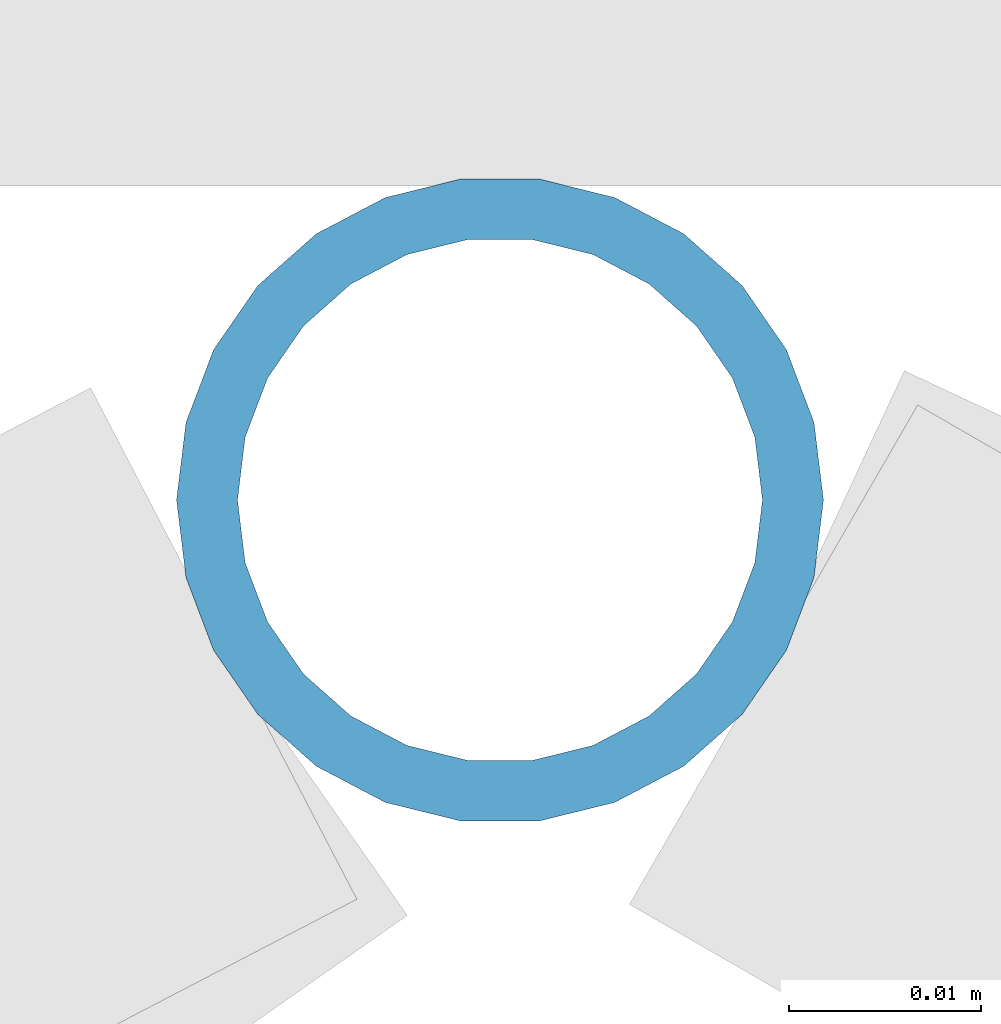
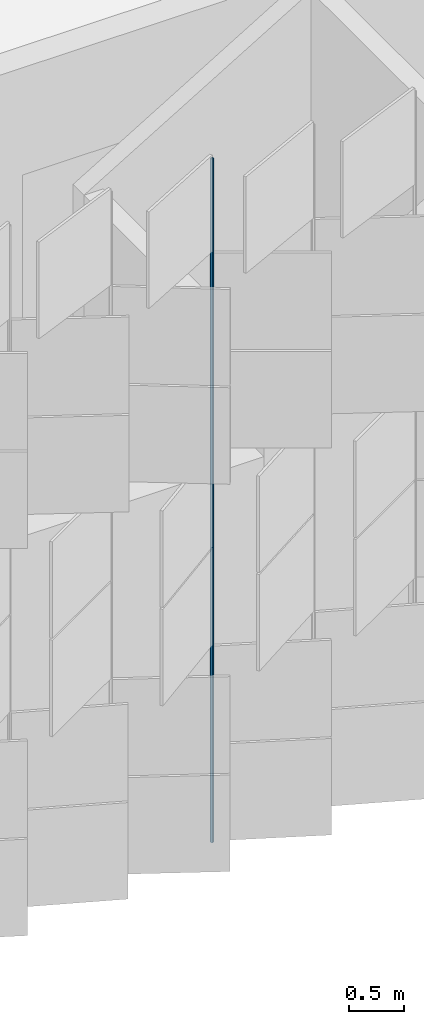
# One storey, part 159 of 483: 1 discrete accessory.
"""IFC4 building model written with IfcOpenShell, lengths in metres."""

from ifc_helpers import new_model, si_unit, direction, frame, origin, origin_2d, place, context, subcontext, project, spatial, hollow_circle, extrude, material, material_profile, profile_set, type_object, element, save


model = new_model("IFC4")

# Units and contexts
model_context = context("Model", 3, precision=1e-05, world=origin(), true_north=direction((0.0, 1.0)))
body_context = subcontext(model_context, "Body", "Model", "MODEL_VIEW")
ifc_project = project(units=[si_unit("LENGTHUNIT", "METRE"), si_unit("AREAUNIT", "SQUARE_METRE"), si_unit("VOLUMEUNIT", "CUBIC_METRE"), si_unit("PLANEANGLEUNIT", "RADIAN"), si_unit("MASSUNIT", "GRAM", prefix="KILO")], contexts=[model_context])

# Site, building, storey
site_placement = place(None, origin())
site = spatial("IfcSite", under=ifc_project, at=site_placement, CompositionType="ELEMENT")
building_placement = place(site_placement, origin())
building = spatial("IfcBuilding", under=site, at=building_placement, Name="Parallax Yard Mobility Hub", CompositionType="ELEMENT")
storey_placement = place(building_placement, frame((0.0, 0.0, 13.199951171875)))
storey = spatial("IfcBuildingStorey", under=building, at=storey_placement, Name="L04", CompositionType="ELEMENT", Elevation=13.199951171875)

# Discrete accessory
ifc_material = material(Name="Steel ASTM A500 Gr C, hot-dip galvanised", Category="steel")
ifc_material_profile = material_profile(ifc_material, hollow_circle(Radius=0.016845703125, WallThickness=0.003173828125, at=origin_2d()), Name="CHS 33.7x3.2")
ifc_profile_set = profile_set([ifc_material_profile], Name="Steel ASTM A500 Gr C, hot-dip galvanised")
discrete_accessory_type = type_object("IfcDiscreteAccessoryType", Name="Hinge post CHS 33.7x3.2", PredefinedType="BRACKET", material=ifc_profile_set)
discrete_accessory_placement = place(storey_placement, frame((131.77587890625, 112.199951171875, 0.0), z_axis=(0.0, 0.0, 1.0), x_axis=(1.0, 0.0, 0.0)))
element("IfcDiscreteAccessory", 1, at=discrete_accessory_placement, inside=storey, type_object=discrete_accessory_type, Name="Hinge post bay 13.5 level L04", PredefinedType="BRACKET", context=body_context, shape_type="SweptSolid", body=[
    extrude(hollow_circle(Radius=0.016845703125, WallThickness=0.003173828125, at=origin_2d()), origin(), (0.0, 0.0, 1.0), 7.650146484375),
])

save(model, "model.ifc")
